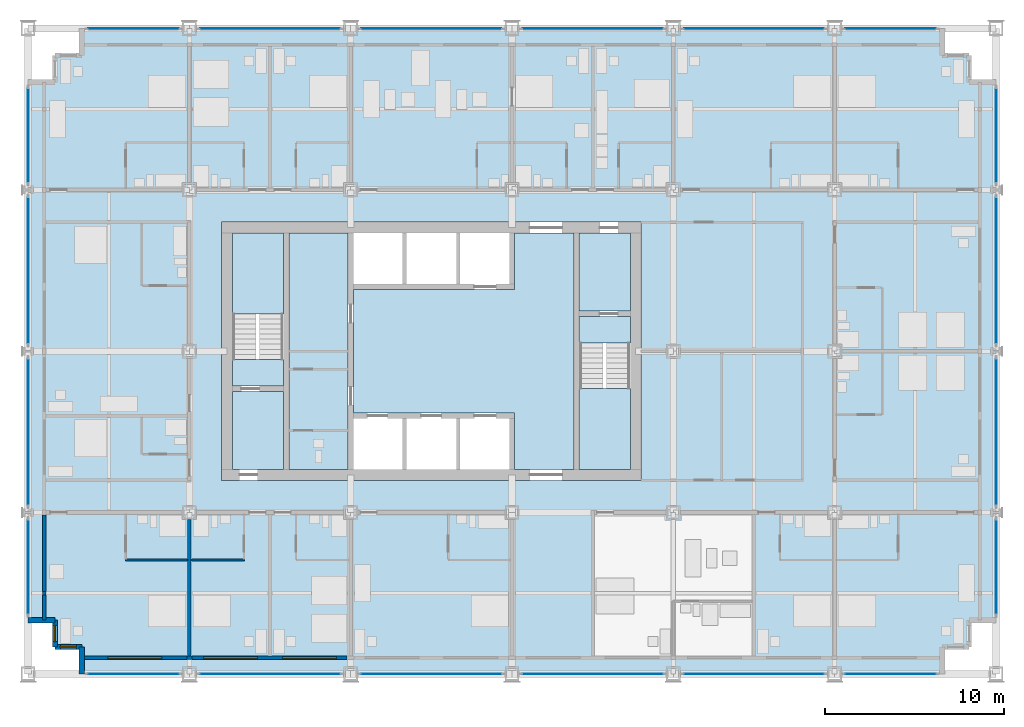
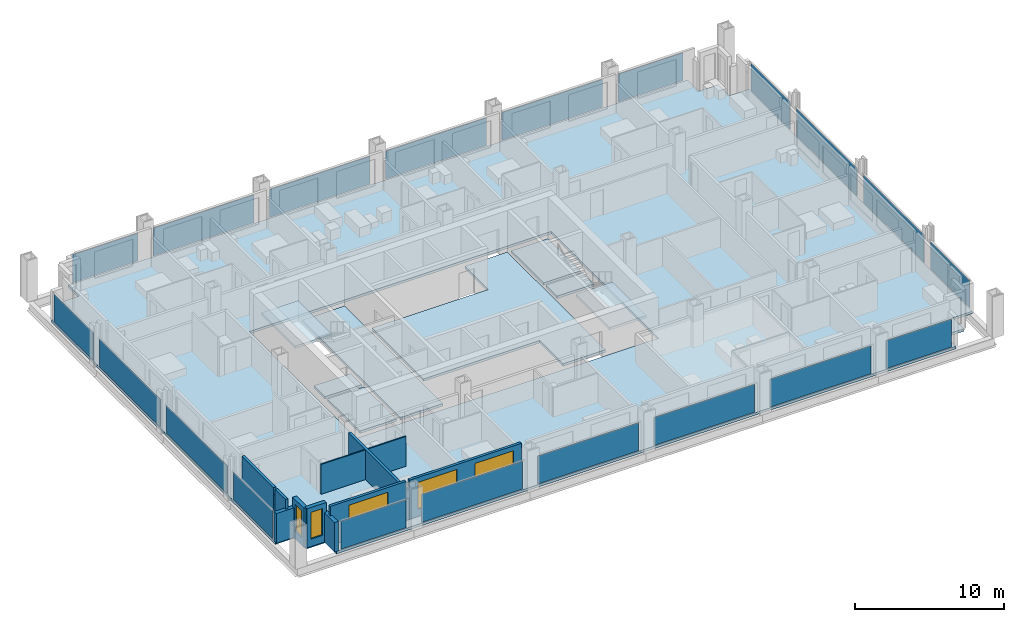
# One storey, part 9 of 18: 20 plates, 13 walls, 9 slabs, 5 windows, 5 openings, 22 elements without a shape of their own.
"""IFC4 building model written with IfcOpenShell, lengths in metres."""

from ifc_helpers import new_model, si_unit, direction, frame, frame_2d, origin, origin_2d, place, context, subcontext, project, spatial, polyline, rectangle, outline, extrude, material, layer, layer_set, type_object, element, fill, aggregate, save


model = new_model("IFC4")

# Units and contexts
model_context = context("Model", 3, precision=1e-05, world=origin(), true_north=direction((0.0, 1.0)))
body_context = subcontext(model_context, "Body", "Model", "MODEL_VIEW")
ifc_project = project(units=[si_unit("LENGTHUNIT", "METRE"), si_unit("AREAUNIT", "SQUARE_METRE"), si_unit("VOLUMEUNIT", "CUBIC_METRE"), si_unit("PLANEANGLEUNIT", "RADIAN"), si_unit("MASSUNIT", "GRAM", prefix="KILO")], contexts=[model_context])

# Site, building, storey
site_placement = place(None, origin())
site = spatial("IfcSite", under=ifc_project, at=site_placement, CompositionType="ELEMENT")
building_placement = place(site_placement, origin())
building = spatial("IfcBuilding", under=site, at=building_placement, Name="Loomwork Tower", CompositionType="ELEMENT")
storey_placement = place(building_placement, frame((0.0, 0.0, 34.800048828125)))
storey = spatial("IfcBuildingStorey", under=building, at=storey_placement, Name="L07", CompositionType="ELEMENT", Elevation=34.800048828125)

# Slabs
ifc_material_1 = material(Name="Concrete 5000 psi (34 MPa) on composite metal deck", Category="concrete")
ifc_layer_1 = layer(ifc_material_1, 0.199951171875)
ifc_layer_set_1 = layer_set([ifc_layer_1], Name="Floor slab 200")
slab_type_1 = type_object("IfcSlabType", Name="Floor slab 200", PredefinedType="FLOOR", material=ifc_layer_set_1)
slab_1_placement = place(storey_placement, frame((0.0, 0.0, -0.199951171875)))
element("IfcSlab", 1, at=slab_1_placement, inside=storey, type_object=slab_type_1, Name="Floor slab L07", PredefinedType="FLOOR", context=body_context, shape_type="SweptSolid", body=[
    extrude(outline(polyline([(3.0, 1.5), (1.5, 1.5), (1.5, 3.0), (0.0, 3.0), (0.0, 33.0), (1.5, 33.0), (1.5, 34.5), (3.0, 34.5), (3.0, 36.0), (51.0, 36.0), (51.0, 34.5), (52.5, 34.5), (52.5, 33.0), (54.0, 33.0), (54.0, 3.0), (52.5, 3.0), (52.5, 1.5), (51.0, 1.5), (51.0, 0.0), (3.0, 0.0), (3.0, 1.5)]), holes=[polyline([(10.800048828125, 11.39990234375), (10.800048828125, 11.39990234375), (10.800048828125, 10.800048828125), (34.199951171875, 10.800048828125), (34.199951171875, 11.39990234375), (34.199951171875, 11.39990234375), (34.199951171875, 24.60009765625), (34.199951171875, 25.199951171875), (10.800048828125, 25.199951171875), (10.800048828125, 24.60009765625), (10.800048828125, 11.39990234375)])]), origin(), (0.0, 0.0, 1.0), 0.199951171875),
])
slab_2_placement = place(storey_placement, frame((0.0, 0.0, -0.199951171875)))
element("IfcSlab", 2, at=slab_2_placement, inside=storey, type_object=slab_type_1, Name="Floor slab L07", PredefinedType="FLOOR", context=body_context, shape_type="SweptSolid", body=[
    extrude(outline(polyline([(30.449951171875, 24.60009765625), (30.449951171875, 11.39990234375), (27.14990234375, 11.39990234375), (27.14990234375, 14.25), (27.14990234375, 14.550048828125), (18.14990234375, 14.550048828125), (18.14990234375, 21.449951171875), (27.14990234375, 21.449951171875), (27.14990234375, 21.75), (27.14990234375, 24.60009765625), (30.449951171875, 24.60009765625)])), origin(), (0.0, 0.0, 1.0), 0.199951171875),
])
slab_3_placement = place(storey_placement, frame((0.0, 0.0, -0.199951171875)))
element("IfcSlab", 3, at=slab_3_placement, inside=storey, type_object=slab_type_1, Name="Floor slab L07", PredefinedType="FLOOR", context=body_context, shape_type="SweptSolid", body=[
    extrude(outline(polyline([(14.550048828125, 11.39990234375), (14.550048828125, 24.60009765625), (17.85009765625, 24.60009765625), (17.85009765625, 11.39990234375), (14.550048828125, 11.39990234375)])), origin(), (0.0, 0.0, 1.0), 0.199951171875),
])
slab_4_placement = place(storey_placement, frame((0.0, 0.0, -0.199951171875)))
element("IfcSlab", 4, at=slab_4_placement, inside=storey, type_object=slab_type_1, Name="Floor slab L07", PredefinedType="FLOOR", context=body_context, shape_type="SweptSolid", body=[
    extrude(outline(polyline([(33.60009765625, 20.25), (30.75, 20.25), (30.75, 24.60009765625), (33.60009765625, 24.60009765625), (33.60009765625, 20.25)])), origin(), (0.0, 0.0, 1.0), 0.199951171875),
])
slab_5_placement = place(storey_placement, frame((0.0, 0.0, -0.199951171875)))
element("IfcSlab", 5, at=slab_5_placement, inside=storey, type_object=slab_type_1, Name="Floor slab L07", PredefinedType="FLOOR", context=body_context, shape_type="SweptSolid", body=[
    extrude(outline(polyline([(14.25, 15.75), (14.25, 11.39990234375), (11.39990234375, 11.39990234375), (11.39990234375, 15.75), (14.25, 15.75)])), origin(), (0.0, 0.0, 1.0), 0.199951171875),
])

# Curtain wall, plate
ifc_material_2 = material(Name="Aluminium curtain wall frame", Category="aluminium")
curtain_wall_type = type_object("IfcCurtainWallType", Name="Outer skin glazing hotel", PredefinedType="NOTDEFINED", material=ifc_material_2)
curtain_wall_1_placement = place(storey_placement, origin())
curtain_wall_1 = element("IfcCurtainWall", 6, at=curtain_wall_1_placement, inside=storey, type_object=curtain_wall_type, Name="Outer skin glazing hotel cw/S-0", PredefinedType="NOTDEFINED")
ifc_material_3 = material(Name="Clear laminated glass", Category="glass")
ifc_layer_2 = layer(ifc_material_3, 0.02392578125)
ifc_layer_set_2 = layer_set([ifc_layer_2], Name="Outer skin glazing hotel panel")
plate_type = type_object("IfcPlateType", Name="Outer skin glazing hotel panel", PredefinedType="CURTAIN_PANEL", material=ifc_layer_set_2)
plate_1_placement = place(storey_placement, frame((5.875, 0.0, 0.06494140625), z_axis=(0.0, 0.0, 1.0), x_axis=(1.0, 0.0, 0.0)))
plate_1 = element("IfcPlate", 7, at=plate_1_placement, type_object=plate_type, Name="CW1 panel 1.1", PredefinedType="CURTAIN_PANEL", context=body_context, shape_type="SweptSolid", body=[
    extrude(rectangle(XDim=5.050048828125, YDim=0.02392578125, at=origin_2d()), origin(), (0.0, 0.0, 1.0), 2.290283203125),
])
aggregate(curtain_wall_1, [plate_1])

curtain_wall_2_placement = place(storey_placement, origin())
curtain_wall_2 = element("IfcCurtainWall", 8, at=curtain_wall_2_placement, inside=storey, type_object=curtain_wall_type, Name="Outer skin glazing hotel cw/S-9", PredefinedType="NOTDEFINED")
plate_2_placement = place(storey_placement, frame((13.5, 0.0, 0.06494140625), z_axis=(0.0, 0.0, 1.0), x_axis=(1.0, 0.0, 0.0)))
plate_2 = element("IfcPlate", 9, at=plate_2_placement, type_object=plate_type, Name="CW1 panel 1.1", PredefinedType="CURTAIN_PANEL", context=body_context, shape_type="SweptSolid", body=[
    extrude(rectangle(XDim=7.800048828125, YDim=0.02392578125, at=origin_2d()), origin(), (0.0, 0.0, 1.0), 2.290283203125),
])
aggregate(curtain_wall_2, [plate_2])

curtain_wall_3_placement = place(storey_placement, origin())
curtain_wall_3 = element("IfcCurtainWall", 10, at=curtain_wall_3_placement, inside=storey, type_object=curtain_wall_type, Name="Outer skin glazing hotel cw/S-18", PredefinedType="NOTDEFINED")
plate_3_placement = place(storey_placement, frame((22.5, 0.0, 0.06494140625), z_axis=(0.0, 0.0, 1.0), x_axis=(1.0, 0.0, 0.0)))
plate_3 = element("IfcPlate", 11, at=plate_3_placement, type_object=plate_type, Name="CW1 panel 1.1", PredefinedType="CURTAIN_PANEL", context=body_context, shape_type="SweptSolid", body=[
    extrude(rectangle(XDim=7.800048828125, YDim=0.02392578125, at=origin_2d()), origin(), (0.0, 0.0, 1.0), 2.290283203125),
])
aggregate(curtain_wall_3, [plate_3])

curtain_wall_4_placement = place(storey_placement, origin())
curtain_wall_4 = element("IfcCurtainWall", 12, at=curtain_wall_4_placement, inside=storey, type_object=curtain_wall_type, Name="Outer skin glazing hotel cw/S-27", PredefinedType="NOTDEFINED")
plate_4_placement = place(storey_placement, frame((31.5, 0.0, 0.06494140625), z_axis=(0.0, 0.0, 1.0), x_axis=(1.0, 0.0, 0.0)))
plate_4 = element("IfcPlate", 13, at=plate_4_placement, type_object=plate_type, Name="CW1 panel 1.1", PredefinedType="CURTAIN_PANEL", context=body_context, shape_type="SweptSolid", body=[
    extrude(rectangle(XDim=7.800048828125, YDim=0.02392578125, at=origin_2d()), origin(), (0.0, 0.0, 1.0), 2.290283203125),
])
aggregate(curtain_wall_4, [plate_4])

curtain_wall_5_placement = place(storey_placement, origin())
curtain_wall_5 = element("IfcCurtainWall", 14, at=curtain_wall_5_placement, inside=storey, type_object=curtain_wall_type, Name="Outer skin glazing hotel cw/S-36", PredefinedType="NOTDEFINED")
plate_5_placement = place(storey_placement, frame((40.5, 0.0, 0.06494140625), z_axis=(0.0, 0.0, 1.0), x_axis=(1.0, 0.0, 0.0)))
plate_5 = element("IfcPlate", 15, at=plate_5_placement, type_object=plate_type, Name="CW1 panel 1.1", PredefinedType="CURTAIN_PANEL", context=body_context, shape_type="SweptSolid", body=[
    extrude(rectangle(XDim=7.800048828125, YDim=0.02392578125, at=origin_2d()), origin(), (0.0, 0.0, 1.0), 2.290283203125),
])
aggregate(curtain_wall_5, [plate_5])

curtain_wall_6_placement = place(storey_placement, origin())
curtain_wall_6 = element("IfcCurtainWall", 16, at=curtain_wall_6_placement, inside=storey, type_object=curtain_wall_type, Name="Outer skin glazing hotel cw/S-45", PredefinedType="NOTDEFINED")
plate_6_placement = place(storey_placement, frame((48.125, 0.0, 0.06494140625), z_axis=(0.0, 0.0, 1.0), x_axis=(1.0, 0.0, 0.0)))
plate_6 = element("IfcPlate", 17, at=plate_6_placement, type_object=plate_type, Name="CW1 panel 1.1", PredefinedType="CURTAIN_PANEL", context=body_context, shape_type="SweptSolid", body=[
    extrude(rectangle(XDim=5.050048828125, YDim=0.02392578125, at=origin_2d()), origin(), (0.0, 0.0, 1.0), 2.290283203125),
])
aggregate(curtain_wall_6, [plate_6])

curtain_wall_7_placement = place(storey_placement, origin())
curtain_wall_7 = element("IfcCurtainWall", 18, at=curtain_wall_7_placement, inside=storey, type_object=curtain_wall_type, Name="Outer skin glazing hotel cw/N-0", PredefinedType="NOTDEFINED")
plate_7_placement = place(storey_placement, frame((5.875, 36.0, 0.06494140625), z_axis=(0.0, 0.0, 1.0), x_axis=(-1.0, 0.0, 0.0)))
plate_7 = element("IfcPlate", 19, at=plate_7_placement, type_object=plate_type, Name="CW1 panel 1.1", PredefinedType="CURTAIN_PANEL", context=body_context, shape_type="SweptSolid", body=[
    extrude(rectangle(XDim=5.050048828125, YDim=0.02392578125, at=origin_2d()), origin(), (0.0, 0.0, 1.0), 2.290283203125),
])
aggregate(curtain_wall_7, [plate_7])

curtain_wall_8_placement = place(storey_placement, origin())
curtain_wall_8 = element("IfcCurtainWall", 20, at=curtain_wall_8_placement, inside=storey, type_object=curtain_wall_type, Name="Outer skin glazing hotel cw/N-9", PredefinedType="NOTDEFINED")
plate_8_placement = place(storey_placement, frame((13.5, 36.0, 0.06494140625), z_axis=(0.0, 0.0, 1.0), x_axis=(-1.0, 0.0, 0.0)))
plate_8 = element("IfcPlate", 21, at=plate_8_placement, type_object=plate_type, Name="CW1 panel 1.1", PredefinedType="CURTAIN_PANEL", context=body_context, shape_type="SweptSolid", body=[
    extrude(rectangle(XDim=7.800048828125, YDim=0.02392578125, at=origin_2d()), origin(), (0.0, 0.0, 1.0), 2.290283203125),
])
aggregate(curtain_wall_8, [plate_8])

curtain_wall_9_placement = place(storey_placement, origin())
curtain_wall_9 = element("IfcCurtainWall", 22, at=curtain_wall_9_placement, inside=storey, type_object=curtain_wall_type, Name="Outer skin glazing hotel cw/N-18", PredefinedType="NOTDEFINED")
plate_9_placement = place(storey_placement, frame((22.5, 36.0, 0.06494140625), z_axis=(0.0, 0.0, 1.0), x_axis=(-1.0, 0.0, 0.0)))
plate_9 = element("IfcPlate", 23, at=plate_9_placement, type_object=plate_type, Name="CW1 panel 1.1", PredefinedType="CURTAIN_PANEL", context=body_context, shape_type="SweptSolid", body=[
    extrude(rectangle(XDim=7.800048828125, YDim=0.02392578125, at=origin_2d()), origin(), (0.0, 0.0, 1.0), 2.290283203125),
])
aggregate(curtain_wall_9, [plate_9])

curtain_wall_10_placement = place(storey_placement, origin())
curtain_wall_10 = element("IfcCurtainWall", 24, at=curtain_wall_10_placement, inside=storey, type_object=curtain_wall_type, Name="Outer skin glazing hotel cw/N-27", PredefinedType="NOTDEFINED")
plate_10_placement = place(storey_placement, frame((31.5, 36.0, 0.06494140625), z_axis=(0.0, 0.0, 1.0), x_axis=(-1.0, 0.0, 0.0)))
plate_10 = element("IfcPlate", 25, at=plate_10_placement, type_object=plate_type, Name="CW1 panel 1.1", PredefinedType="CURTAIN_PANEL", context=body_context, shape_type="SweptSolid", body=[
    extrude(rectangle(XDim=7.800048828125, YDim=0.02392578125, at=origin_2d()), origin(), (0.0, 0.0, 1.0), 2.290283203125),
])
aggregate(curtain_wall_10, [plate_10])

curtain_wall_11_placement = place(storey_placement, origin())
curtain_wall_11 = element("IfcCurtainWall", 26, at=curtain_wall_11_placement, inside=storey, type_object=curtain_wall_type, Name="Outer skin glazing hotel cw/N-36", PredefinedType="NOTDEFINED")
plate_11_placement = place(storey_placement, frame((40.5, 36.0, 0.06494140625), z_axis=(0.0, 0.0, 1.0), x_axis=(-1.0, 0.0, 0.0)))
plate_11 = element("IfcPlate", 27, at=plate_11_placement, type_object=plate_type, Name="CW1 panel 1.1", PredefinedType="CURTAIN_PANEL", context=body_context, shape_type="SweptSolid", body=[
    extrude(rectangle(XDim=7.800048828125, YDim=0.02392578125, at=origin_2d()), origin(), (0.0, 0.0, 1.0), 2.290283203125),
])
aggregate(curtain_wall_11, [plate_11])

curtain_wall_12_placement = place(storey_placement, origin())
curtain_wall_12 = element("IfcCurtainWall", 28, at=curtain_wall_12_placement, inside=storey, type_object=curtain_wall_type, Name="Outer skin glazing hotel cw/N-45", PredefinedType="NOTDEFINED")
plate_12_placement = place(storey_placement, frame((48.125, 36.0, 0.06494140625), z_axis=(0.0, 0.0, 1.0), x_axis=(-1.0, 0.0, 0.0)))
plate_12 = element("IfcPlate", 29, at=plate_12_placement, type_object=plate_type, Name="CW1 panel 1.1", PredefinedType="CURTAIN_PANEL", context=body_context, shape_type="SweptSolid", body=[
    extrude(rectangle(XDim=5.050048828125, YDim=0.02392578125, at=origin_2d()), origin(), (0.0, 0.0, 1.0), 2.290283203125),
])
aggregate(curtain_wall_12, [plate_12])

curtain_wall_13_placement = place(storey_placement, origin())
curtain_wall_13 = element("IfcCurtainWall", 30, at=curtain_wall_13_placement, inside=storey, type_object=curtain_wall_type, Name="Outer skin glazing hotel cw/W-0", PredefinedType="NOTDEFINED")
plate_13_placement = place(storey_placement, frame((0.0, 5.95556640625, 0.06494140625), z_axis=(0.0, 0.0, 1.0), x_axis=(0.0, -1.0, 0.0)))
plate_13 = element("IfcPlate", 31, at=plate_13_placement, type_object=plate_type, Name="CW1 panel 1.1", PredefinedType="CURTAIN_PANEL", context=body_context, shape_type="SweptSolid", body=[
    extrude(rectangle(XDim=5.211181640625, YDim=0.02392578125, at=origin_2d()), origin(), (0.0, 0.0, 1.0), 2.290283203125),
])
aggregate(curtain_wall_13, [plate_13])

curtain_wall_14_placement = place(storey_placement, origin())
curtain_wall_14 = element("IfcCurtainWall", 32, at=curtain_wall_14_placement, inside=storey, type_object=curtain_wall_type, Name="Outer skin glazing hotel cw/W-9", PredefinedType="NOTDEFINED")
plate_14_placement = place(storey_placement, frame((0.0, 13.5, 0.06494140625), z_axis=(0.0, 0.0, 1.0), x_axis=(0.0, -1.0, 0.0)))
plate_14 = element("IfcPlate", 33, at=plate_14_placement, type_object=plate_type, Name="CW1 panel 1.1", PredefinedType="CURTAIN_PANEL", context=body_context, shape_type="SweptSolid", body=[
    extrude(rectangle(XDim=8.122314453125, YDim=0.02392578125, at=origin_2d()), origin(), (0.0, 0.0, 1.0), 2.290283203125),
])
aggregate(curtain_wall_14, [plate_14])

curtain_wall_15_placement = place(storey_placement, origin())
curtain_wall_15 = element("IfcCurtainWall", 34, at=curtain_wall_15_placement, inside=storey, type_object=curtain_wall_type, Name="Outer skin glazing hotel cw/W-18", PredefinedType="NOTDEFINED")
plate_15_placement = place(storey_placement, frame((0.0, 22.5, 0.06494140625), z_axis=(0.0, 0.0, 1.0), x_axis=(0.0, -1.0, 0.0)))
plate_15 = element("IfcPlate", 35, at=plate_15_placement, type_object=plate_type, Name="CW1 panel 1.1", PredefinedType="CURTAIN_PANEL", context=body_context, shape_type="SweptSolid", body=[
    extrude(rectangle(XDim=8.122314453125, YDim=0.02392578125, at=origin_2d()), origin(), (0.0, 0.0, 1.0), 2.290283203125),
])
aggregate(curtain_wall_15, [plate_15])

curtain_wall_16_placement = place(storey_placement, origin())
curtain_wall_16 = element("IfcCurtainWall", 36, at=curtain_wall_16_placement, inside=storey, type_object=curtain_wall_type, Name="Outer skin glazing hotel cw/W-27", PredefinedType="NOTDEFINED")
plate_16_placement = place(storey_placement, frame((0.0, 30.04443359375, 0.06494140625), z_axis=(0.0, 0.0, 1.0), x_axis=(0.0, -1.0, 0.0)))
plate_16 = element("IfcPlate", 37, at=plate_16_placement, type_object=plate_type, Name="CW1 panel 1.1", PredefinedType="CURTAIN_PANEL", context=body_context, shape_type="SweptSolid", body=[
    extrude(rectangle(XDim=5.211181640625, YDim=0.02392578125, at=origin_2d()), origin(), (0.0, 0.0, 1.0), 2.290283203125),
])
aggregate(curtain_wall_16, [plate_16])

curtain_wall_17_placement = place(storey_placement, origin())
curtain_wall_17 = element("IfcCurtainWall", 38, at=curtain_wall_17_placement, inside=storey, type_object=curtain_wall_type, Name="Outer skin glazing hotel cw/E-0", PredefinedType="NOTDEFINED")
plate_17_placement = place(storey_placement, frame((54.0, 5.95556640625, 0.06494140625), z_axis=(0.0, 0.0, 1.0), x_axis=(0.0, 1.0, 0.0)))
plate_17 = element("IfcPlate", 39, at=plate_17_placement, type_object=plate_type, Name="CW1 panel 1.1", PredefinedType="CURTAIN_PANEL", context=body_context, shape_type="SweptSolid", body=[
    extrude(rectangle(XDim=5.211181640625, YDim=0.02392578125, at=origin_2d()), origin(), (0.0, 0.0, 1.0), 2.290283203125),
])
aggregate(curtain_wall_17, [plate_17])

curtain_wall_18_placement = place(storey_placement, origin())
curtain_wall_18 = element("IfcCurtainWall", 40, at=curtain_wall_18_placement, inside=storey, type_object=curtain_wall_type, Name="Outer skin glazing hotel cw/E-9", PredefinedType="NOTDEFINED")
plate_18_placement = place(storey_placement, frame((54.0, 13.5, 0.06494140625), z_axis=(0.0, 0.0, 1.0), x_axis=(0.0, 1.0, 0.0)))
plate_18 = element("IfcPlate", 41, at=plate_18_placement, type_object=plate_type, Name="CW1 panel 1.1", PredefinedType="CURTAIN_PANEL", context=body_context, shape_type="SweptSolid", body=[
    extrude(rectangle(XDim=8.122314453125, YDim=0.02392578125, at=origin_2d()), origin(), (0.0, 0.0, 1.0), 2.290283203125),
])
aggregate(curtain_wall_18, [plate_18])

curtain_wall_19_placement = place(storey_placement, origin())
curtain_wall_19 = element("IfcCurtainWall", 42, at=curtain_wall_19_placement, inside=storey, type_object=curtain_wall_type, Name="Outer skin glazing hotel cw/E-18", PredefinedType="NOTDEFINED")
plate_19_placement = place(storey_placement, frame((54.0, 22.5, 0.06494140625), z_axis=(0.0, 0.0, 1.0), x_axis=(0.0, 1.0, 0.0)))
plate_19 = element("IfcPlate", 43, at=plate_19_placement, type_object=plate_type, Name="CW1 panel 1.1", PredefinedType="CURTAIN_PANEL", context=body_context, shape_type="SweptSolid", body=[
    extrude(rectangle(XDim=8.122314453125, YDim=0.02392578125, at=origin_2d()), origin(), (0.0, 0.0, 1.0), 2.290283203125),
])
aggregate(curtain_wall_19, [plate_19])

curtain_wall_20_placement = place(storey_placement, origin())
curtain_wall_20 = element("IfcCurtainWall", 44, at=curtain_wall_20_placement, inside=storey, type_object=curtain_wall_type, Name="Outer skin glazing hotel cw/E-27", PredefinedType="NOTDEFINED")
plate_20_placement = place(storey_placement, frame((54.0, 30.04443359375, 0.06494140625), z_axis=(0.0, 0.0, 1.0), x_axis=(0.0, 1.0, 0.0)))
plate_20 = element("IfcPlate", 45, at=plate_20_placement, type_object=plate_type, Name="CW1 panel 1.1", PredefinedType="CURTAIN_PANEL", context=body_context, shape_type="SweptSolid", body=[
    extrude(rectangle(XDim=5.211181640625, YDim=0.02392578125, at=origin_2d()), origin(), (0.0, 0.0, 1.0), 2.290283203125),
])
aggregate(curtain_wall_20, [plate_20])

# Stair, slabs
ifc_material_4 = material(Name="Concrete 5000 psi (34 MPa) precast stair", Category="concrete")
stair_type_1 = type_object("IfcStairType", Name="Stair ST-A 20 risers 2850 wide", PredefinedType="HALF_TURN_STAIR", material=ifc_material_4)
stair_1_placement = place(storey_placement, origin())
stair_1 = element("IfcStair", 46, at=stair_1_placement, inside=storey, type_object=stair_type_1, Name="Stair A L07", PredefinedType="HALF_TURN_STAIR")
ifc_material_5 = material(Name="Concrete 5000 psi (34 MPa)", Category="concrete")
ifc_layer_3 = layer(ifc_material_5, 0.199951171875)
ifc_layer_set_3 = layer_set([ifc_layer_3], Name="Stair landing 200")
slab_type_2 = type_object("IfcSlabType", Name="Stair landing 200", PredefinedType="LANDING", material=ifc_layer_set_3)
slab_6_placement = place(storey_placement, frame((0.0, 0.0, -0.199951171875)))
slab_6 = element("IfcSlab", 47, at=slab_6_placement, type_object=slab_type_2, Name="ST-A landing 1", PredefinedType="LANDING", context=body_context, shape_type="SweptSolid", body=[
    extrude(outline(polyline([(11.39990234375, 16.050048828125), (14.25, 16.050048828125), (14.25, 17.550048828125), (11.39990234375, 17.550048828125), (11.39990234375, 16.050048828125)])), origin(), (0.0, 0.0, 1.0), 0.199951171875),
])
slab_7_placement = place(storey_placement, frame((0.0, 0.0, 1.5)))
slab_7 = element("IfcSlab", 48, at=slab_7_placement, type_object=slab_type_2, Name="ST-A landing 2", PredefinedType="LANDING", context=body_context, shape_type="SweptSolid", body=[
    extrude(outline(polyline([(11.39990234375, 20.070068359375), (14.25, 20.070068359375), (14.25, 24.60009765625), (11.39990234375, 24.60009765625), (11.39990234375, 20.070068359375)])), origin(), (0.0, 0.0, 1.0), 0.199951171875),
])
aggregate(stair_1, [slab_6, slab_7])

ifc_material_6 = material(Name="Concrete 5000 psi (34 MPa) precast stair", Category="concrete")
stair_type_2 = type_object("IfcStairType", Name="Stair ST-B 20 risers 2850 wide", PredefinedType="HALF_TURN_STAIR", material=ifc_material_6)
stair_2_placement = place(storey_placement, origin())
stair_2 = element("IfcStair", 49, at=stair_2_placement, inside=storey, type_object=stair_type_2, Name="Stair B L07", PredefinedType="HALF_TURN_STAIR")
slab_8_placement = place(storey_placement, frame((0.0, 0.0, -0.199951171875)))
slab_8 = element("IfcSlab", 50, at=slab_8_placement, type_object=slab_type_2, Name="ST-B landing 1", PredefinedType="LANDING", context=body_context, shape_type="SweptSolid", body=[
    extrude(outline(polyline([(30.75, 18.449951171875), (33.60009765625, 18.449951171875), (33.60009765625, 19.949951171875), (30.75, 19.949951171875), (30.75, 18.449951171875)])), origin(), (0.0, 0.0, 1.0), 0.199951171875),
])
slab_9_placement = place(storey_placement, frame((0.0, 0.0, 1.5)))
slab_9 = element("IfcSlab", 51, at=slab_9_placement, type_object=slab_type_2, Name="ST-B landing 2", PredefinedType="LANDING", context=body_context, shape_type="SweptSolid", body=[
    extrude(outline(polyline([(30.75, 11.39990234375), (33.60009765625, 11.39990234375), (33.60009765625, 15.929931640625), (30.75, 15.929931640625), (30.75, 11.39990234375)])), origin(), (0.0, 0.0, 1.0), 0.199951171875),
])
aggregate(stair_2, [slab_8, slab_9])

# Walls
ifc_material_7 = material(Name="Cement board on steel studs", Category="steel")
ifc_layer_4 = layer(ifc_material_7, 0.10009765625)
ifc_layer_set_4 = layer_set([ifc_layer_4], Name="En-suite partition 100")
wall_type_1 = type_object("IfcWallType", Name="En-suite partition 100", PredefinedType="PARTITIONING", material=ifc_layer_set_4)
wall_1_placement = place(storey_placement, frame((5.449951171875, 6.35009765625, 0.0), z_axis=(0.0, 0.0, 1.0), x_axis=(1.0, 0.0, 0.0)))
element("IfcWall", 52, at=wall_1_placement, inside=storey, type_object=wall_type_1, Name="En-suite wall L07 room 1", PredefinedType="PARTITIONING", context=body_context, shape_type="SweptSolid", body=[
    extrude(rectangle(XDim=3.449951171875, YDim=0.10009765625, at=frame_2d((1.72509765625, 0.0))), origin(), (0.0, 0.0, 1.0), 2.43798828125),
])
wall_2_placement = place(storey_placement, frame((9.10009765625, 6.35009765625, 0.0), z_axis=(0.0, 0.0, 1.0), x_axis=(1.0, 0.0, 0.0)))
element("IfcWall", 53, at=wall_2_placement, inside=storey, type_object=wall_type_1, Name="En-suite wall L07 room 2", PredefinedType="PARTITIONING", context=body_context, shape_type="SweptSolid", body=[
    extrude(rectangle(XDim=2.949951171875, YDim=0.10009765625, at=frame_2d((1.47509765625, 0.0))), origin(), (0.0, 0.0, 1.0), 2.43798828125),
])
ifc_material_8 = material(Name="Gypsum board on steel studs, acoustic", Category="steel")
ifc_layer_5 = layer(ifc_material_8, 0.199951171875)
ifc_layer_set_5 = layer_set([ifc_layer_5], Name="Guest room party wall 200")
wall_type_2 = type_object("IfcWallType", Name="Guest room party wall 200", PredefinedType="PARTITIONING", material=ifc_layer_set_5)
wall_3_placement = place(storey_placement, frame((9.0, 8.60009765625, 0.0), z_axis=(0.0, 0.0, 1.0), x_axis=(0.0, -1.0, 0.0)))
element("IfcWall", 54, at=wall_3_placement, inside=storey, type_object=wall_type_2, Name="Guest room party wall S 9", PredefinedType="PARTITIONING", context=body_context, shape_type="SweptSolid", body=[
    extrude(rectangle(XDim=7.60009765625, YDim=0.199951171875, at=frame_2d((3.800048828125, 0.0))), origin(), (0.0, 0.0, 1.0), 2.43798828125),
])

# Wall, opening, window
ifc_material_9 = material(Name="Insulated steel stud wall with gypsum lining", Category="steel")
ifc_layer_6 = layer(ifc_material_9, 0.199951171875)
ifc_layer_set_6 = layer_set([ifc_layer_6], Name="Inner skin wall 200")
wall_type_3 = type_object("IfcWallType", Name="Inner skin wall 200", PredefinedType="SOLIDWALL", material=ifc_layer_set_6)
wall_4_placement = place(storey_placement, frame((3.0, 0.89990234375, 0.0), z_axis=(0.0, 0.0, 1.0), x_axis=(1.0, 0.0, 0.0)))
wall_4 = element("IfcWall", 55, at=wall_4_placement, inside=storey, type_object=wall_type_3, Name="Inner skin wall S", PredefinedType="SOLIDWALL", context=body_context, shape_type="SweptSolid", body=[
    extrude(rectangle(XDim=5.86474609375, YDim=0.199951171875, at=frame_2d((2.932373046875, 0.0))), origin(), (0.0, 0.0, 1.0), 3.199951171875),
])
opening_1_placement = place(wall_4_placement, frame((1.449951171875, 0.0, 0.60009765625)))
opening_1 = element("IfcOpeningElement", 56, at=opening_1_placement, cuts=wall_4, Name="Opening CH1", PredefinedType="OPENING", context=body_context, shape_type="SweptSolid", body=[
    extrude(rectangle(XDim=3.0, YDim=2.199951171875, at=frame_2d((1.5, 1.10009765625))), frame((0.0, 0.10986328125, 0.0), z_axis=(0.0, -1.0, 0.0), x_axis=(1.0, 0.0, 0.0)), (0.0, 0.0, 1.0), 0.219970703125),
])
ifc_material_10 = material(Name="Aluminium frame with clear insulated glass", Category="aluminium")
window_type_1 = type_object("IfcWindowType", Name="Chicago window 3000", PartitioningType="TRIPLE_PANEL_VERTICAL", PredefinedType="WINDOW", material=ifc_material_10)
window_1_placement = place(opening_1_placement, origin())
window_1 = element("IfcWindow", 57, at=window_1_placement, inside=storey, type_object=window_type_1, Name="Chicago window L07 bay 1", OverallHeight=2.199951171875, OverallWidth=3.0, PartitioningType="TRIPLE_PANEL_VERTICAL", PredefinedType="WINDOW", context=body_context, shape_type="SweptSolid", body=[
    extrude(rectangle(XDim=3.0, YDim=2.199951171875, at=frame_2d((1.5, 1.10009765625))), frame((0.0, 0.030029296875, 0.0), z_axis=(0.0, -1.0, 0.0), x_axis=(1.0, 0.0, 0.0)), (0.0, 0.0, 1.0), 0.06005859375),
])
fill(opening_1, window_1)

# Walls
wall_5_placement = place(storey_placement, frame((0.89990234375, 3.0, 0.0), z_axis=(0.0, 0.0, 1.0), x_axis=(0.0, 1.0, 0.0)))
element("IfcWall", 58, at=wall_5_placement, inside=storey, type_object=wall_type_3, Name="Inner skin wall W", PredefinedType="SOLIDWALL", context=body_context, shape_type="SweptSolid", body=[
    extrude(rectangle(XDim=1.392578125, YDim=0.199951171875, at=frame_2d((0.6962890625, 0.0))), origin(), (0.0, 0.0, 1.0), 3.199951171875),
])
wall_6_placement = place(storey_placement, frame((8.86474609375, 0.89990234375, 0.0), z_axis=(0.0, 0.0, 1.0), x_axis=(1.0, 0.0, 0.0)))
element("IfcWall", 59, at=wall_6_placement, inside=storey, type_object=wall_type_3, Name="Inner skin wall S bay 2", PredefinedType="SOLIDWALL", context=body_context, shape_type="SweptSolid", body=[
    extrude(rectangle(XDim=0.2705078125, YDim=0.199951171875, at=frame_2d((0.13525390625, 0.0))), origin(), (0.0, 0.0, 1.0), 2.43798828125),
])

# Wall, openings, windows
wall_7_placement = place(storey_placement, frame((9.13525390625, 0.89990234375, 0.0), z_axis=(0.0, 0.0, 1.0), x_axis=(1.0, 0.0, 0.0)))
wall_7 = element("IfcWall", 60, at=wall_7_placement, inside=storey, type_object=wall_type_3, Name="Inner skin wall S bay 3", PredefinedType="SOLIDWALL", context=body_context, shape_type="SweptSolid", body=[
    extrude(rectangle(XDim=8.6708984375, YDim=0.199951171875, at=frame_2d((4.33544921875, 0.0))), origin(), (0.0, 0.0, 1.0), 3.199951171875),
])
opening_2_placement = place(wall_7_placement, frame((0.664794921875, 0.0, 0.60009765625)))
opening_2 = element("IfcOpeningElement", 61, at=opening_2_placement, cuts=wall_7, Name="Opening CH1", PredefinedType="OPENING", context=body_context, shape_type="SweptSolid", body=[
    extrude(rectangle(XDim=3.0, YDim=2.199951171875, at=frame_2d((1.5, 1.10009765625))), frame((0.0, 0.10986328125, 0.0), z_axis=(0.0, -1.0, 0.0), x_axis=(1.0, 0.0, 0.0)), (0.0, 0.0, 1.0), 0.219970703125),
])
opening_3_placement = place(wall_7_placement, frame((5.064697265625, 0.0, 0.60009765625)))
opening_3 = element("IfcOpeningElement", 62, at=opening_3_placement, cuts=wall_7, Name="Opening CH1", PredefinedType="OPENING", context=body_context, shape_type="SweptSolid", body=[
    extrude(rectangle(XDim=3.0, YDim=2.199951171875, at=frame_2d((1.5, 1.10009765625))), frame((0.0, 0.10986328125, 0.0), z_axis=(0.0, -1.0, 0.0), x_axis=(1.0, 0.0, 0.0)), (0.0, 0.0, 1.0), 0.219970703125),
])
window_2_placement = place(opening_2_placement, origin())
window_2 = element("IfcWindow", 63, at=window_2_placement, inside=storey, type_object=window_type_1, Name="Chicago window L07 bay 2", OverallHeight=2.199951171875, OverallWidth=3.0, PartitioningType="TRIPLE_PANEL_VERTICAL", PredefinedType="WINDOW", context=body_context, shape_type="SweptSolid", body=[
    extrude(rectangle(XDim=3.0, YDim=2.199951171875, at=frame_2d((1.5, 1.10009765625))), frame((0.0, 0.030029296875, 0.0), z_axis=(0.0, -1.0, 0.0), x_axis=(1.0, 0.0, 0.0)), (0.0, 0.0, 1.0), 0.06005859375),
])
fill(opening_2, window_2)
window_3_placement = place(opening_3_placement, origin())
window_3 = element("IfcWindow", 64, at=window_3_placement, inside=storey, type_object=window_type_1, Name="Chicago window L07 bay 2", OverallHeight=2.199951171875, OverallWidth=3.0, PartitioningType="TRIPLE_PANEL_VERTICAL", PredefinedType="WINDOW", context=body_context, shape_type="SweptSolid", body=[
    extrude(rectangle(XDim=3.0, YDim=2.199951171875, at=frame_2d((1.5, 1.10009765625))), frame((0.0, 0.030029296875, 0.0), z_axis=(0.0, -1.0, 0.0), x_axis=(1.0, 0.0, 0.0)), (0.0, 0.0, 1.0), 0.06005859375),
])
fill(opening_3, window_3)

# Walls
wall_8_placement = place(storey_placement, frame((0.89990234375, 4.392578125, 0.0), z_axis=(0.0, 0.0, 1.0), x_axis=(0.0, 1.0, 0.0)))
element("IfcWall", 65, at=wall_8_placement, inside=storey, type_object=wall_type_3, Name="Inner skin wall W bay 2", PredefinedType="SOLIDWALL", context=body_context, shape_type="SweptSolid", body=[
    extrude(rectangle(XDim=0.21484375, YDim=0.199951171875, at=frame_2d((0.107421875, 0.0))), origin(), (0.0, 0.0, 1.0), 2.660888671875),
])
wall_9_placement = place(storey_placement, frame((0.89990234375, 4.607421875, 0.0), z_axis=(0.0, 0.0, 1.0), x_axis=(0.0, 1.0, 0.0)))
element("IfcWall", 66, at=wall_9_placement, inside=storey, type_object=wall_type_3, Name="Inner skin wall W bay 3", PredefinedType="SOLIDWALL", context=body_context, shape_type="SweptSolid", body=[
    extrude(rectangle(XDim=4.25732421875, YDim=0.199951171875, at=frame_2d((2.128662109375, 0.0))), origin(), (0.0, 0.0, 1.0), 3.199951171875),
])
ifc_material_11 = material(Name="Limestone on concrete masonry", Category="masonry")
ifc_layer_7 = layer(ifc_material_11, 0.300048828125)
ifc_layer_set_7 = layer_set([ifc_layer_7], Name="Limestone corner wall 300")
wall_type_4 = type_object("IfcWallType", Name="Limestone corner wall 300", PredefinedType="SOLIDWALL", material=ifc_layer_set_7)
wall_10_placement = place(storey_placement, frame((0.0, 3.0, 0.0), z_axis=(0.0, 0.0, 1.0), x_axis=(1.0, 0.0, 0.0)))
element("IfcWall", 67, at=wall_10_placement, inside=storey, type_object=wall_type_4, Name="Stone corner wall SW 1", PredefinedType="SOLIDWALL", context=body_context, shape_type="SweptSolid", body=[
    extrude(rectangle(XDim=1.5, YDim=0.300048828125, at=frame_2d((0.75, 0.0))), origin(), (0.0, 0.0, 1.0), 2.419921875),
])

# Wall, opening, window
wall_11_placement = place(storey_placement, frame((1.5, 3.0, 0.0), z_axis=(0.0, 0.0, 1.0), x_axis=(0.0, -1.0, 0.0)))
wall_11 = element("IfcWall", 68, at=wall_11_placement, inside=storey, type_object=wall_type_4, Name="Stone corner wall SW 2", PredefinedType="SOLIDWALL", context=body_context, shape_type="SweptSolid", body=[
    extrude(rectangle(XDim=1.5, YDim=0.300048828125, at=frame_2d((0.75, 0.0))), origin(), (0.0, 0.0, 1.0), 3.199951171875),
])
opening_4_placement = place(wall_11_placement, frame((0.300048828125, 0.0, 0.60009765625)))
opening_4 = element("IfcOpeningElement", 69, at=opening_4_placement, cuts=wall_11, Name="Opening CH2", PredefinedType="OPENING", context=body_context, shape_type="SweptSolid", body=[
    extrude(rectangle(XDim=0.89990234375, YDim=2.199951171875, at=frame_2d((0.449951171875, 1.10009765625))), frame((0.0, 0.159912109375, 0.0), z_axis=(0.0, -1.0, 0.0), x_axis=(1.0, 0.0, 0.0)), (0.0, 0.0, 1.0), 0.320068359375),
])
ifc_material_12 = material(Name="Aluminium frame with clear insulated glass", Category="aluminium")
window_type_2 = type_object("IfcWindowType", Name="Corner window 900", PartitioningType="SINGLE_PANEL", PredefinedType="WINDOW", material=ifc_material_12)
window_4_placement = place(opening_4_placement, origin())
window_4 = element("IfcWindow", 70, at=window_4_placement, inside=storey, type_object=window_type_2, Name="Corner window SW", OverallHeight=2.199951171875, OverallWidth=0.89990234375, PartitioningType="SINGLE_PANEL", PredefinedType="WINDOW", context=body_context, shape_type="SweptSolid", body=[
    extrude(rectangle(XDim=0.89990234375, YDim=2.199951171875, at=frame_2d((0.449951171875, 1.10009765625))), frame((0.0, 0.030029296875, 0.0), z_axis=(0.0, -1.0, 0.0), x_axis=(1.0, 0.0, 0.0)), (0.0, 0.0, 1.0), 0.06005859375),
])
fill(opening_4, window_4)

wall_12_placement = place(storey_placement, frame((1.5, 1.5, 0.0), z_axis=(0.0, 0.0, 1.0), x_axis=(1.0, 0.0, 0.0)))
wall_12 = element("IfcWall", 71, at=wall_12_placement, inside=storey, type_object=wall_type_4, Name="Stone corner wall SW 3", PredefinedType="SOLIDWALL", context=body_context, shape_type="SweptSolid", body=[
    extrude(rectangle(XDim=1.5, YDim=0.300048828125, at=frame_2d((0.75, 0.0))), origin(), (0.0, 0.0, 1.0), 3.199951171875),
])
opening_5_placement = place(wall_12_placement, frame((0.300048828125, 0.0, 0.60009765625)))
opening_5 = element("IfcOpeningElement", 72, at=opening_5_placement, cuts=wall_12, Name="Opening CH2", PredefinedType="OPENING", context=body_context, shape_type="SweptSolid", body=[
    extrude(rectangle(XDim=0.89990234375, YDim=2.199951171875, at=frame_2d((0.449951171875, 1.10009765625))), frame((0.0, 0.159912109375, 0.0), z_axis=(0.0, -1.0, 0.0), x_axis=(1.0, 0.0, 0.0)), (0.0, 0.0, 1.0), 0.320068359375),
])
window_5_placement = place(opening_5_placement, origin())
window_5 = element("IfcWindow", 73, at=window_5_placement, inside=storey, type_object=window_type_2, Name="Corner window SW", OverallHeight=2.199951171875, OverallWidth=0.89990234375, PartitioningType="SINGLE_PANEL", PredefinedType="WINDOW", context=body_context, shape_type="SweptSolid", body=[
    extrude(rectangle(XDim=0.89990234375, YDim=2.199951171875, at=frame_2d((0.449951171875, 1.10009765625))), frame((0.0, 0.030029296875, 0.0), z_axis=(0.0, -1.0, 0.0), x_axis=(1.0, 0.0, 0.0)), (0.0, 0.0, 1.0), 0.06005859375),
])
fill(opening_5, window_5)

# Wall
wall_13_placement = place(storey_placement, frame((3.0, 1.5, 0.0), z_axis=(0.0, 0.0, 1.0), x_axis=(0.0, -1.0, 0.0)))
element("IfcWall", 74, at=wall_13_placement, inside=storey, type_object=wall_type_4, Name="Stone corner wall SW 4", PredefinedType="SOLIDWALL", context=body_context, shape_type="SweptSolid", body=[
    extrude(rectangle(XDim=1.5, YDim=0.300048828125, at=frame_2d((0.75, 0.0))), origin(), (0.0, 0.0, 1.0), 2.419921875),
])

save(model, "model.ifc")
